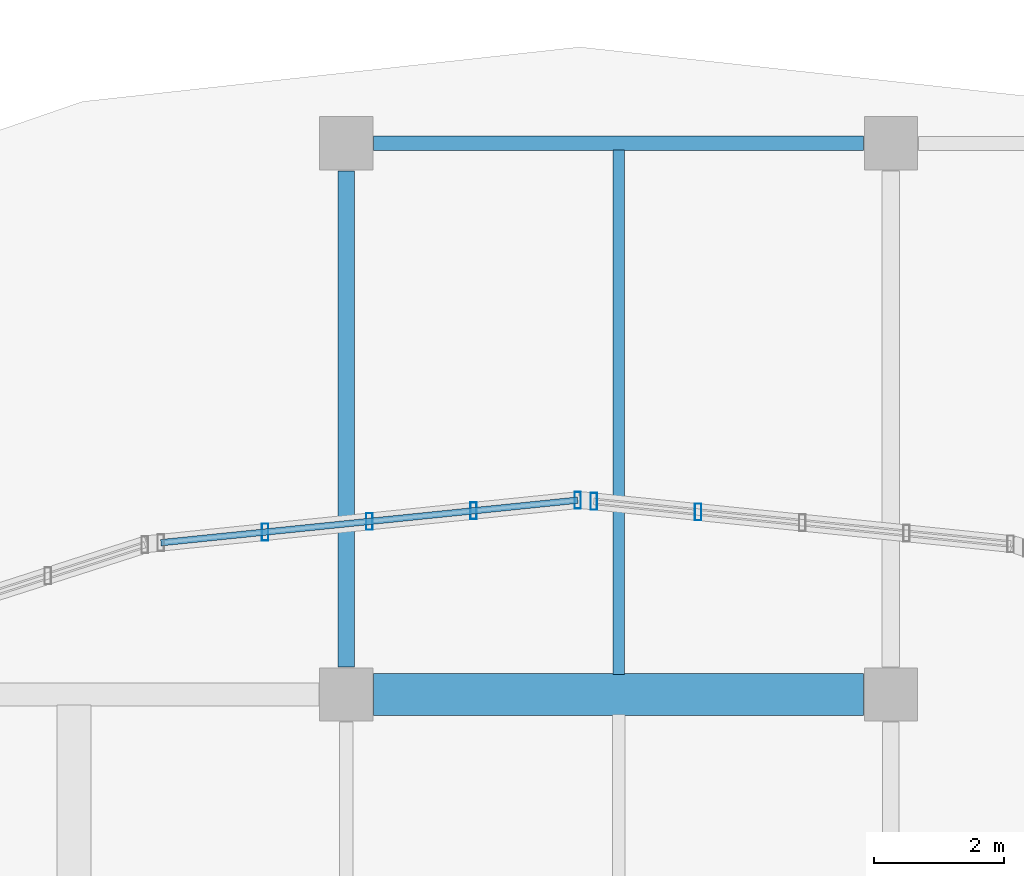
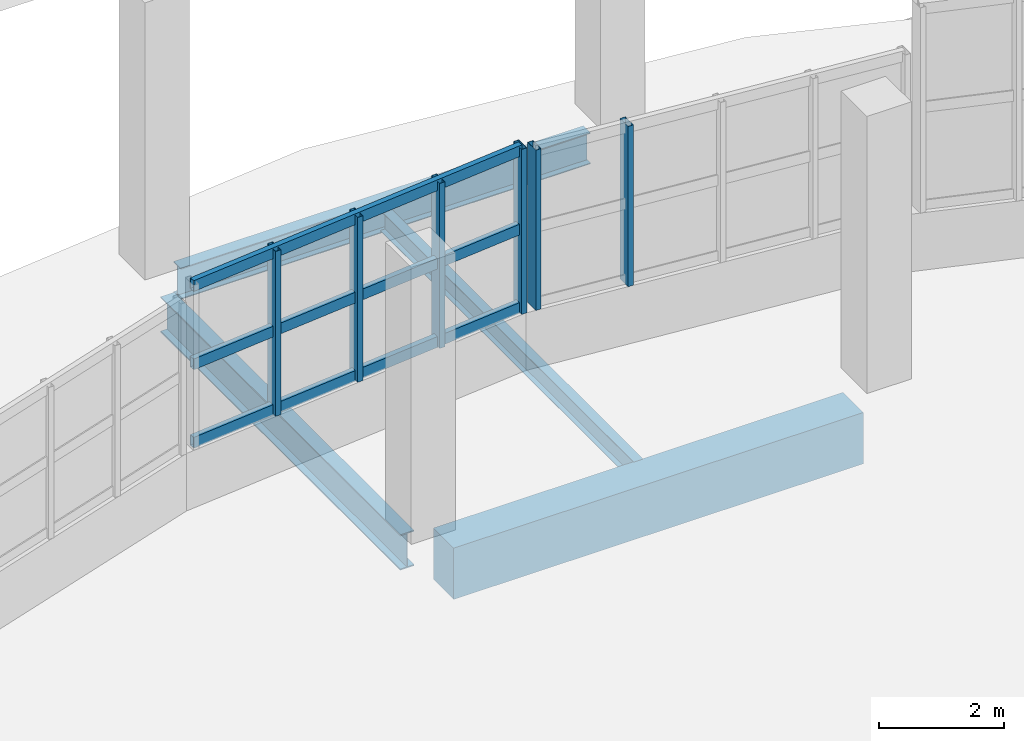
# One storey, part 12 of 107: 9 members, 4 beams, 2 elements without a shape of their own.
"""IFC4 building model written with IfcOpenShell, lengths in metres."""

from ifc_helpers import new_model, si_unit, direction, frame, origin, origin_2d, place, context, subcontext, project, spatial, rectangle, hollow_rectangle, i_section, extrude, material, material_profile, profile_set, type_object, element, aggregate, save


model = new_model("IFC4")

# Units and contexts
model_context = context("Model", 3, precision=1e-05, world=origin(), true_north=direction((0.0, 1.0)))
body_context = subcontext(model_context, "Body", "Model", "MODEL_VIEW")
ifc_project = project(units=[si_unit("LENGTHUNIT", "METRE"), si_unit("AREAUNIT", "SQUARE_METRE"), si_unit("VOLUMEUNIT", "CUBIC_METRE"), si_unit("PLANEANGLEUNIT", "RADIAN"), si_unit("MASSUNIT", "GRAM", prefix="KILO")], contexts=[model_context])

# Site, building, storey
site_placement = place(None, origin())
site = spatial("IfcSite", under=ifc_project, at=site_placement, CompositionType="ELEMENT")
building_placement = place(site_placement, origin())
building = spatial("IfcBuilding", under=site, at=building_placement, Name="Solvento Point Concert Hall", CompositionType="ELEMENT")
storey_placement = place(building_placement, origin())
storey = spatial("IfcBuildingStorey", under=building, at=storey_placement, Name="L00", CompositionType="ELEMENT", Elevation=0.0)

# Beams
ifc_material_1 = material(Name="Structural Steel ASTM A992 Grade 50", Category="steel")
ifc_material_profile_1 = material_profile(ifc_material_1, i_section(OverallWidth=0.228515625, OverallDepth=0.60791015625, WebThickness=0.01123046875, FlangeThickness=0.017333984375, at=origin_2d()), Name="W24X76")
ifc_profile_set_1 = profile_set([ifc_material_profile_1], Name="Structural Steel ASTM A992 Grade 50")
beam_type_1 = type_object("IfcBeamType", Name="Beam_W24X76", PredefinedType="BEAM", material=ifc_profile_set_1)
beam_1_placement = place(storey_placement, frame((58.02392578125, 59.5, -0.548095703125), z_axis=(1.0, 0.0, 0.0), x_axis=(0.0, 1.0, 0.0)))
element("IfcBeam", 1, at=beam_1_placement, inside=storey, type_object=beam_type_1, Name="Primary girder B-42 L00", PredefinedType="BEAM", context=body_context, shape_type="SweptSolid", body=[
    extrude(i_section(OverallWidth=0.228515625, OverallDepth=0.60791015625, WebThickness=0.01123046875, FlangeThickness=0.017333984375, at=origin_2d()), origin(), (0.0, 0.0, 1.0), 7.552001953125),
])
ifc_material_2 = material(Name="Concrete C35/45", Category="concrete")
ifc_material_profile_2 = material_profile(ifc_material_2, rectangle(XDim=0.64990234375, YDim=1.0, at=origin_2d()), Name="RC-BM-650X1000")
ifc_profile_set_2 = profile_set([ifc_material_profile_2], Name="Concrete C35/45")
beam_type_2 = type_object("IfcBeamType", Name="Girder_RC_650x1000", PredefinedType="USERDEFINED", material=ifc_profile_set_2)
beam_2_placement = place(storey_placement, frame((58.02392578125, 51.0, -0.9140625), z_axis=(1.0, 0.0, 0.0), x_axis=(0.0, 1.0, 0.0)))
element("IfcBeam", 2, at=beam_2_placement, inside=storey, type_object=beam_type_2, Name="Primary girder B-67 L00", ObjectType="GIRDER", PredefinedType="USERDEFINED", context=body_context, shape_type="SweptSolid", body=[
    extrude(rectangle(XDim=0.64990234375, YDim=1.0, at=origin_2d()), origin(), (0.0, 0.0, 1.0), 7.552001953125),
])
ifc_material_3 = material(Name="Structural Steel ASTM A992 Grade 50", Category="steel")
ifc_material_profile_3 = material_profile(ifc_material_3, i_section(OverallWidth=0.256103515625, OverallDepth=0.693115234375, WebThickness=0.014404296875, FlangeThickness=0.023681640625, at=origin_2d()), Name="W27X114")
ifc_profile_set_3 = profile_set([ifc_material_profile_3], Name="Structural Steel ASTM A992 Grade 50")
beam_type_3 = type_object("IfcBeamType", Name="Girder_W27X114", PredefinedType="USERDEFINED", material=ifc_profile_set_3)
beam_3_placement = place(storey_placement, frame((57.60009765625, 51.424072265625, -0.760498046875), z_axis=(0.0, 1.0, 0.0), x_axis=(-1.0, 0.0, 0.0)))
element("IfcBeam", 3, at=beam_3_placement, inside=storey, type_object=beam_type_3, Name="Primary girder B-23 L00", ObjectType="GIRDER", PredefinedType="USERDEFINED", context=body_context, shape_type="SweptSolid", body=[
    extrude(i_section(OverallWidth=0.256103515625, OverallDepth=0.693115234375, WebThickness=0.014404296875, FlangeThickness=0.023681640625, at=origin_2d()), origin(), (0.0, 0.0, 1.0), 7.65185546875),
])
ifc_material_4 = material(Name="Structural Steel ASTM A992 Grade 50", Category="steel")
ifc_material_profile_4 = material_profile(ifc_material_4, i_section(OverallWidth=0.177490234375, OverallDepth=0.403076171875, WebThickness=0.007568359375, FlangeThickness=0.010986328125, at=origin_2d()), Name="W16X36")
ifc_profile_set_4 = profile_set([ifc_material_profile_4], Name="Structural Steel ASTM A992 Grade 50")
beam_type_4 = type_object("IfcBeamType", Name="Joist_W16X36", PredefinedType="JOIST", material=ifc_profile_set_4)
beam_4_placement = place(storey_placement, frame((61.800048828125, 51.31005859375, -0.615478515625), z_axis=(0.0, 1.0, 0.0), x_axis=(-1.0, 0.0, 0.0)))
element("IfcBeam", 4, at=beam_4_placement, inside=storey, type_object=beam_type_4, Name="Secondary floor joist B-30 L00", PredefinedType="JOIST", context=body_context, shape_type="SweptSolid", body=[
    extrude(i_section(OverallWidth=0.177490234375, OverallDepth=0.403076171875, WebThickness=0.007568359375, FlangeThickness=0.010986328125, at=origin_2d()), origin(), (0.0, 0.0, 1.0), 8.0908203125),
])

# Curtain wall, members
ifc_material_5 = material(Name="Anodized Bronze Aluminium", Category="aluminium")
curtain_wall_type = type_object("IfcCurtainWallType", Name="CurtainWall_FoyerL00", PredefinedType="USERDEFINED", material=ifc_material_5)
curtain_wall_1_placement = place(storey_placement, origin())
curtain_wall_1 = element("IfcCurtainWall", 5, at=curtain_wall_1_placement, inside=storey, type_object=curtain_wall_type, Name="Unitised curtain wall CW-29 UCW-L00-011", ObjectType="UNITISED CURTAIN WALL", PredefinedType="USERDEFINED")
ifc_material_6 = material(Name="Anodized Bronze Aluminium", Category="aluminium")
ifc_material_profile_5 = material_profile(ifc_material_6, hollow_rectangle(XDim=0.10009765625, YDim=0.260009765625, WallThickness=0.0048828125, at=origin_2d()), Name="CW-MUL-100X260")
ifc_profile_set_5 = profile_set([ifc_material_profile_5], Name="Anodized Bronze Aluminium")
member_type_1 = type_object("IfcMemberType", Name="Mullion_100x260", PredefinedType="MULLION", material=ifc_profile_set_5)
member_1_placement = place(storey_placement, frame((56.3486328125, 53.5048828125, 1.1201171875), z_axis=(0.0, 0.0, 1.0), x_axis=(1.0, 0.0, 0.0)))
member_1 = element("IfcMember", 6, at=member_1_placement, type_object=member_type_1, Name="Curtain wall mullion ML-03", PredefinedType="MULLION", context=body_context, shape_type="SweptSolid", body=[
    extrude(hollow_rectangle(XDim=0.10009765625, YDim=0.260009765625, WallThickness=0.0048828125, at=origin_2d()), origin(), (0.0, 0.0, 1.0), 3.2138671875),
])
member_2_placement = place(storey_placement, frame((57.955810546875, 53.6689453125, 1.1201171875), z_axis=(0.0, 0.0, 1.0), x_axis=(1.0, 0.0, 0.0)))
member_2 = element("IfcMember", 7, at=member_2_placement, type_object=member_type_1, Name="Curtain wall mullion ML-03", PredefinedType="MULLION", context=body_context, shape_type="SweptSolid", body=[
    extrude(hollow_rectangle(XDim=0.10009765625, YDim=0.260009765625, WallThickness=0.0048828125, at=origin_2d()), origin(), (0.0, 0.0, 1.0), 3.2138671875),
])
member_3_placement = place(storey_placement, frame((59.56298828125, 53.8330078125, 1.1201171875), z_axis=(0.0, 0.0, 1.0), x_axis=(1.0, 0.0, 0.0)))
member_3 = element("IfcMember", 8, at=member_3_placement, type_object=member_type_1, Name="Curtain wall mullion ML-03", PredefinedType="MULLION", context=body_context, shape_type="SweptSolid", body=[
    extrude(hollow_rectangle(XDim=0.10009765625, YDim=0.260009765625, WallThickness=0.0048828125, at=origin_2d()), origin(), (0.0, 0.0, 1.0), 3.2138671875),
])
member_4_placement = place(storey_placement, frame((61.170166015625, 53.9970703125, 1.1201171875), z_axis=(0.0, 0.0, 1.0), x_axis=(1.0, 0.0, 0.0)))
member_4 = element("IfcMember", 9, at=member_4_placement, type_object=member_type_1, Name="Curtain wall mullion ML-03", PredefinedType="MULLION", context=body_context, shape_type="SweptSolid", body=[
    extrude(hollow_rectangle(XDim=0.10009765625, YDim=0.260009765625, WallThickness=0.0048828125, at=origin_2d()), origin(), (0.0, 0.0, 1.0), 3.2138671875),
])

curtain_wall_2_placement = place(storey_placement, origin())
curtain_wall_2 = element("IfcCurtainWall", 10, at=curtain_wall_2_placement, inside=storey, type_object=curtain_wall_type, Name="Unitised curtain wall CW-29 UCW-L00-012", ObjectType="UNITISED CURTAIN WALL", PredefinedType="USERDEFINED")
member_5_placement = place(storey_placement, frame((61.4189453125, 53.977783203125, 1.1201171875), z_axis=(0.0, 0.0, 1.0), x_axis=(1.0, 0.0, 0.0)))
member_5 = element("IfcMember", 11, at=member_5_placement, type_object=member_type_1, Name="Curtain wall mullion ML-03", PredefinedType="MULLION", context=body_context, shape_type="SweptSolid", body=[
    extrude(hollow_rectangle(XDim=0.10009765625, YDim=0.260009765625, WallThickness=0.0048828125, at=origin_2d()), origin(), (0.0, 0.0, 1.0), 3.125),
])
member_6_placement = place(storey_placement, frame((63.026123046875, 53.813720703125, 1.1201171875), z_axis=(0.0, 0.0, 1.0), x_axis=(1.0, 0.0, 0.0)))
member_6 = element("IfcMember", 12, at=member_6_placement, type_object=member_type_1, Name="Curtain wall mullion ML-03", PredefinedType="MULLION", context=body_context, shape_type="SweptSolid", body=[
    extrude(hollow_rectangle(XDim=0.10009765625, YDim=0.260009765625, WallThickness=0.0048828125, at=origin_2d()), origin(), (0.0, 0.0, 1.0), 3.125),
])
aggregate(curtain_wall_2, [member_5, member_6])

# Member
ifc_material_7 = material(Name="Anodized Bronze Aluminium", Category="aluminium")
ifc_material_profile_6 = material_profile(ifc_material_7, hollow_rectangle(XDim=0.10009765625, YDim=0.2099609375, WallThickness=0.0048828125, at=origin_2d()), Name="CW-TRN-100X210")
ifc_profile_set_6 = profile_set([ifc_material_profile_6], Name="Anodized Bronze Aluminium")
member_type_2 = type_object("IfcMemberType", Name="Transom_100x210", PredefinedType="USERDEFINED", material=ifc_profile_set_6)
member_7_placement = place(storey_placement, frame((54.741455078125, 53.3408203125, 1.199951171875), z_axis=(0.994830092741, 0.101553368118, 0.0), x_axis=(-0.101553368118, 0.994830092741, 0.0)))
member_7 = element("IfcMember", 13, at=member_7_placement, type_object=member_type_2, Name="Curtain wall transom TR-03", ObjectType="TRANSOM", PredefinedType="USERDEFINED", context=body_context, shape_type="SweptSolid", body=[
    extrude(hollow_rectangle(XDim=0.10009765625, YDim=0.2099609375, WallThickness=0.0048828125, at=origin_2d()), origin(), (0.0, 0.0, 1.0), 6.462158203125),
])

member_8_placement = place(storey_placement, frame((54.741455078125, 53.3408203125, 2.72705078125), z_axis=(0.994830092741, 0.101553368118, 0.0), x_axis=(-0.101553368118, 0.994830092741, 0.0)))
member_8 = element("IfcMember", 14, at=member_8_placement, type_object=member_type_2, Name="Curtain wall transom TR-03", ObjectType="TRANSOM", PredefinedType="USERDEFINED", context=body_context, shape_type="SweptSolid", body=[
    extrude(hollow_rectangle(XDim=0.10009765625, YDim=0.2099609375, WallThickness=0.0048828125, at=origin_2d()), origin(), (0.0, 0.0, 1.0), 6.462158203125),
])

member_9_placement = place(storey_placement, frame((54.741455078125, 53.3408203125, 4.25390625), z_axis=(0.994830092741, 0.101553368118, 0.0), x_axis=(-0.101553368118, 0.994830092741, 0.0)))
member_9 = element("IfcMember", 15, at=member_9_placement, type_object=member_type_2, Name="Curtain wall transom TR-03", ObjectType="TRANSOM", PredefinedType="USERDEFINED", context=body_context, shape_type="SweptSolid", body=[
    extrude(hollow_rectangle(XDim=0.10009765625, YDim=0.2099609375, WallThickness=0.0048828125, at=origin_2d()), origin(), (0.0, 0.0, 1.0), 6.462158203125),
])

aggregate(curtain_wall_1, [member_1, member_2, member_3, member_4, member_7, member_8, member_9])

save(model, "model.ifc")
